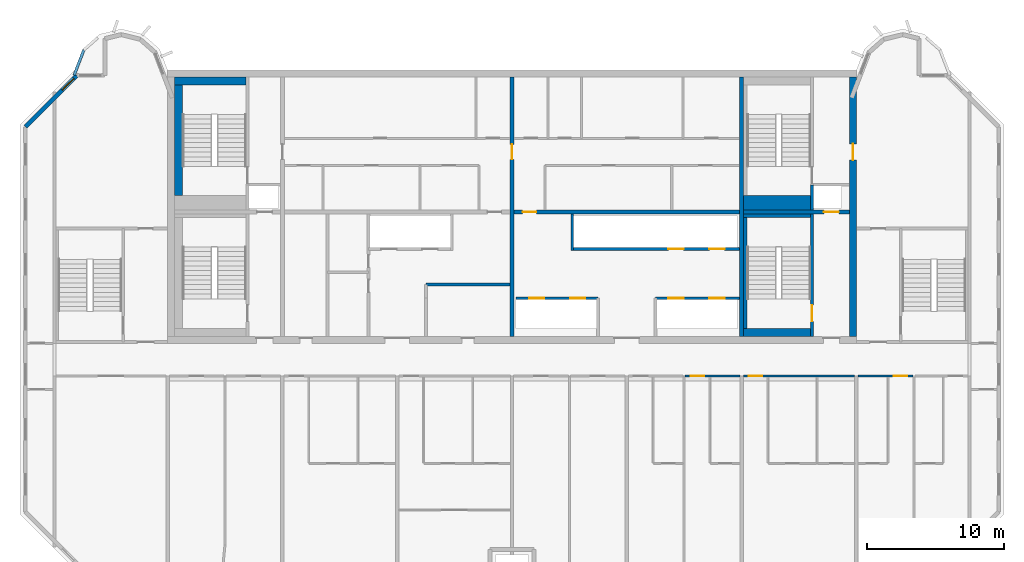
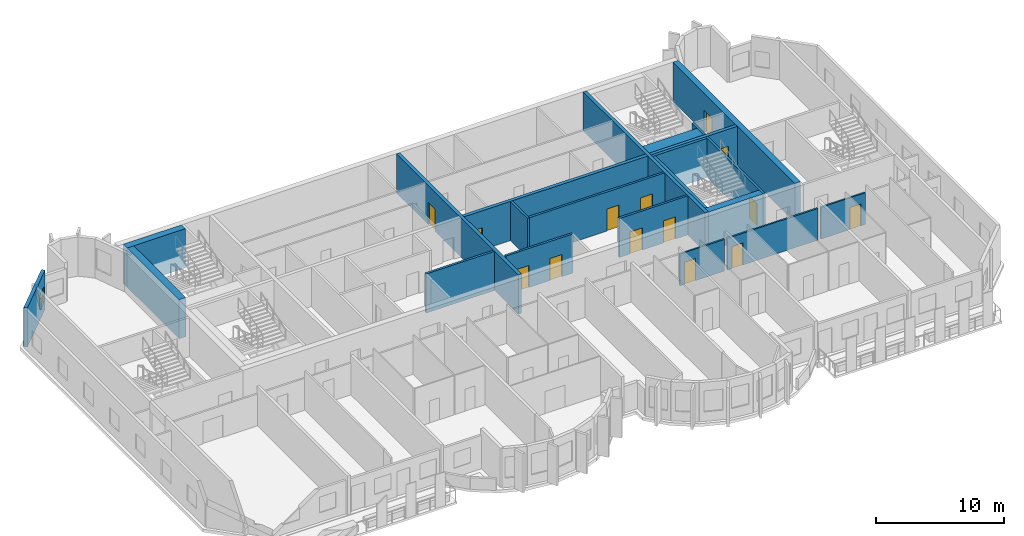
# One storey, part 6 of 12: 23 walls, 14 doors, 1 window, 15 openings.
"""IFC4 building model written with IfcOpenShell, lengths in metres."""

from ifc_helpers import new_model, si_unit, direction, frame, frame_2d, origin, place, context, subcontext, project, spatial, rectangle, extrude, source, transform, mapped, material, layer, layer_set, type_object, element, fill, save


model = new_model("IFC4")

# Units and contexts
model_context = context("Model", 3, precision=1e-05, world=origin(), true_north=direction((0.0, 1.0)))
body_context = subcontext(model_context, "Body", "Model", "MODEL_VIEW")
ifc_project = project(units=[si_unit("LENGTHUNIT", "METRE"), si_unit("AREAUNIT", "SQUARE_METRE"), si_unit("VOLUMEUNIT", "CUBIC_METRE"), si_unit("PLANEANGLEUNIT", "RADIAN"), si_unit("MASSUNIT", "GRAM", prefix="KILO")], contexts=[model_context])

# Site, building, storey
site_placement = place(None, origin())
site = spatial("IfcSite", under=ifc_project, at=site_placement, CompositionType="ELEMENT")
building_placement = place(site_placement, origin())
building = spatial("IfcBuilding", under=site, at=building_placement, Name="Vanashikhar Sky Hotel", CompositionType="ELEMENT")
storey_placement = place(building_placement, frame((0.0, 0.0, 313.699951171875)))
storey = spatial("IfcBuildingStorey", under=building, at=storey_placement, Name="L75", CompositionType="ELEMENT", Elevation=313.699951171875)

# Wall, opening, door
ifc_material_1 = material(Name="Concrete M50", Category="concrete")
ifc_layer_1 = layer(ifc_material_1, 0.5)
ifc_layer_set_1 = layer_set([ifc_layer_1], Name="RC core shell wall 500 Concrete M50")
wall_type_1 = type_object("IfcWallType", Name="RC core shell wall 500 Concrete M50", PredefinedType="SHEAR", material=ifc_layer_set_1)
shared_shape_1 = source(origin(), body_context, "Body", "SweptSolid", [
    extrude(rectangle(XDim=19.0, YDim=0.5, at=frame_2d((9.5, 0.0))), origin(), (0.0, 0.0, 1.0), 3.719970703125),
])
wall_1_placement = place(storey_placement, frame((75.35009765625, 22.5, 0.0), z_axis=(0.0, 0.0, 1.0), x_axis=(0.0, 1.0, 0.0)))
wall_1 = element("IfcWall", 1, at=wall_1_placement, inside=storey, type_object=wall_type_1, Name="KW-L75-KE", PredefinedType="SHEAR", context=body_context, shape_type="MappedRepresentation", body=[
    mapped(shared_shape_1, transform((0.0, 0.0, 0.0), scale=1.0)),
])
shared_shape_2 = source(origin(), body_context, "Body", "SweptSolid", [
    extrude(rectangle(XDim=1.199951171875, YDim=2.10009765625, at=frame_2d((0.60009765625, 1.050048828125))), frame((0.0, 0.260009765625, 0.0), z_axis=(0.0, -1.0, 0.0), x_axis=(1.0, 0.0, 0.0)), (0.0, 0.0, 1.0), 0.52001953125),
])
opening_1_placement = place(wall_1_placement, frame((12.89990234375, 0.0, 0.0)))
opening_1 = element("IfcOpeningElement", 2, at=opening_1_placement, cuts=wall_1, Name="Opening DC-4-D", PredefinedType="OPENING", context=body_context, shape_type="MappedRepresentation", body=[
    mapped(shared_shape_2, transform((0.0, 0.0, 0.0), scale=1.0)),
])
ifc_material_2 = material(Name="Steel", Category="steel")
door_type_1 = type_object("IfcDoorType", Name="Service door 1200 FD120", OperationType="NOTDEFINED", PredefinedType="DOOR", material=ifc_material_2)
shared_shape_3 = source(origin(), body_context, "Body", "SweptSolid", [
    extrude(rectangle(XDim=1.199951171875, YDim=2.10009765625, at=frame_2d((0.60009765625, 1.050048828125))), frame((0.0, 0.02490234375, 0.0), z_axis=(0.0, -1.0, 0.0), x_axis=(1.0, 0.0, 0.0)), (0.0, 0.0, 1.0), 0.050048828125),
])
door_1_placement = place(opening_1_placement, origin())
door_1 = element("IfcDoor", 3, at=door_1_placement, inside=storey, type_object=door_type_1, Name="Service door 1200 FD120", OperationType="SINGLE_SWING_RIGHT", OverallHeight=2.10009765625, OverallWidth=1.199951171875, PredefinedType="DOOR", context=body_context, shape_type="MappedRepresentation", body=[
    mapped(shared_shape_3, transform((0.0, 0.0, 0.0), scale=1.0)),
])
fill(opening_1, door_1)

ifc_layer_2 = layer(ifc_material_1, 0.300048828125)
ifc_layer_set_2 = layer_set([ifc_layer_2], Name="RC core inner wall 300 Concrete M50")
wall_type_2 = type_object("IfcWallType", Name="RC core inner wall 300 Concrete M50", PredefinedType="SHEAR", material=ifc_layer_set_2)
shared_shape_4 = source(origin(), body_context, "Body", "SweptSolid", [
    extrude(rectangle(XDim=19.0, YDim=0.300048828125, at=frame_2d((9.5, 0.0))), origin(), (0.0, 0.0, 1.0), 3.719970703125),
])
wall_2_placement = place(storey_placement, frame((50.39990234375, 22.5, 0.0), z_axis=(0.0, 0.0, 1.0), x_axis=(0.0, 1.0, 0.0)))
wall_2 = element("IfcWall", 4, at=wall_2_placement, inside=storey, type_object=wall_type_2, Name="KW-L75-KX2", PredefinedType="SHEAR", context=body_context, shape_type="MappedRepresentation", body=[
    mapped(shared_shape_4, transform((0.0, 0.0, 0.0), scale=1.0)),
])
shared_shape_5 = source(origin(), body_context, "Body", "SweptSolid", [
    extrude(rectangle(XDim=1.10009765625, YDim=2.10009765625, at=frame_2d((0.550048828125, 1.050048828125))), frame((0.0, 0.16015625, 0.0), z_axis=(0.0, -1.0, 0.0), x_axis=(1.0, 0.0, 0.0)), (0.0, 0.0, 1.0), 0.320068359375),
])
opening_2_placement = place(wall_2_placement, frame((12.949951171875, 0.0, 0.0)))
opening_2 = element("IfcOpeningElement", 5, at=opening_2_placement, cuts=wall_2, Name="Opening DC-4-C", PredefinedType="OPENING", context=body_context, shape_type="MappedRepresentation", body=[
    mapped(shared_shape_5, transform((0.0, 0.0, 0.0), scale=1.0)),
])
door_type_2 = type_object("IfcDoorType", Name="Service door 1100 FD60", OperationType="NOTDEFINED", PredefinedType="DOOR", material=ifc_material_2)
shared_shape_6 = source(origin(), body_context, "Body", "SweptSolid", [
    extrude(rectangle(XDim=1.10009765625, YDim=2.10009765625, at=frame_2d((0.550048828125, 1.050048828125))), frame((0.0, 0.02490234375, 0.0), z_axis=(0.0, -1.0, 0.0), x_axis=(1.0, 0.0, 0.0)), (0.0, 0.0, 1.0), 0.050048828125),
])
door_2_placement = place(opening_2_placement, origin())
door_2 = element("IfcDoor", 6, at=door_2_placement, inside=storey, type_object=door_type_2, Name="Service door 1100 FD60", OperationType="SINGLE_SWING_RIGHT", OverallHeight=2.10009765625, OverallWidth=1.10009765625, PredefinedType="DOOR", context=body_context, shape_type="MappedRepresentation", body=[
    mapped(shared_shape_6, transform((0.0, 0.0, 0.0), scale=1.0)),
])
fill(opening_2, door_2)

# Wall
wall_3_placement = place(storey_placement, frame((67.199951171875, 22.5, 0.0), z_axis=(0.0, 0.0, 1.0), x_axis=(0.0, 1.0, 0.0)))
element("IfcWall", 7, at=wall_3_placement, inside=storey, type_object=wall_type_2, Name="KW-L75-KX3", PredefinedType="SHEAR", context=body_context, shape_type="MappedRepresentation", body=[
    mapped(shared_shape_4, transform((0.0, 0.0, 0.0), scale=1.0)),
])

# Wall, opening, door
shared_shape_7 = source(origin(), body_context, "Body", "SweptSolid", [
    extrude(rectangle(XDim=7.75, YDim=0.300048828125, at=frame_2d((3.875, 0.0))), origin(), (0.0, 0.0, 1.0), 3.719970703125),
])
wall_4_placement = place(storey_placement, frame((67.35009765625, 31.60009765625, 0.0), z_axis=(0.0, 0.0, 1.0), x_axis=(1.0, 0.0, 0.0)))
wall_4 = element("IfcWall", 8, at=wall_4_placement, inside=storey, type_object=wall_type_2, Name="KW-L75-KY4", PredefinedType="SHEAR", context=body_context, shape_type="MappedRepresentation", body=[
    mapped(shared_shape_7, transform((0.0, 0.0, 0.0), scale=1.0)),
])
opening_3_placement = place(wall_4_placement, frame((5.875, 0.0, 0.0)))
opening_3 = element("IfcOpeningElement", 9, at=opening_3_placement, cuts=wall_4, Name="Opening LD", PredefinedType="OPENING", context=body_context, shape_type="MappedRepresentation", body=[
    mapped(shared_shape_5, transform((0.0, 0.0, 0.0), scale=1.0)),
])
ifc_material_3 = material(Name="Stainless steel", Category="steel")
door_type_3 = type_object("IfcDoorType", Name="Lift landing door 1100", OperationType="NOTDEFINED", PredefinedType="DOOR", material=ifc_material_3)
door_3_placement = place(opening_3_placement, origin())
door_3 = element("IfcDoor", 10, at=door_3_placement, inside=storey, type_object=door_type_3, Name="Lift landing door 1100", OperationType="SLIDING_TO_RIGHT", OverallHeight=2.10009765625, OverallWidth=1.10009765625, PredefinedType="DOOR", context=body_context, shape_type="MappedRepresentation", body=[
    mapped(shared_shape_6, transform((0.0, 0.0, 0.0), scale=1.0)),
])
fill(opening_3, door_3)

shared_shape_8 = source(origin(), body_context, "Body", "SweptSolid", [
    extrude(rectangle(XDim=16.5, YDim=0.300048828125, at=frame_2d((8.25, 0.0))), origin(), (0.0, 0.0, 1.0), 3.719970703125),
])
wall_5_placement = place(storey_placement, frame((50.550048828125, 31.60009765625, 0.0), z_axis=(0.0, 0.0, 1.0), x_axis=(1.0, 0.0, 0.0)))
wall_5 = element("IfcWall", 11, at=wall_5_placement, inside=storey, type_object=wall_type_2, Name="KW-L75-KY3", PredefinedType="SHEAR", context=body_context, shape_type="MappedRepresentation", body=[
    mapped(shared_shape_8, transform((0.0, 0.0, 0.0), scale=1.0)),
])
shared_shape_9 = source(origin(), body_context, "Body", "SweptSolid", [
    extrude(rectangle(XDim=1.0, YDim=2.10009765625, at=frame_2d((0.5, 1.050048828125))), frame((0.0, 0.16015625, 0.0), z_axis=(0.0, -1.0, 0.0), x_axis=(1.0, 0.0, 0.0)), (0.0, 0.0, 1.0), 0.320068359375),
])
opening_4_placement = place(wall_5_placement, frame((0.625, 0.0, 0.0)))
opening_4 = element("IfcOpeningElement", 12, at=opening_4_placement, cuts=wall_5, Name="Opening DC-4", PredefinedType="OPENING", context=body_context, shape_type="MappedRepresentation", body=[
    mapped(shared_shape_9, transform((0.0, 0.0, 0.0), scale=1.0)),
])
door_type_4 = type_object("IfcDoorType", Name="Service door 1000 FD60", OperationType="NOTDEFINED", PredefinedType="DOOR", material=ifc_material_2)
shared_shape_10 = source(origin(), body_context, "Body", "SweptSolid", [
    extrude(rectangle(XDim=1.0, YDim=2.10009765625, at=frame_2d((0.5, 1.050048828125))), frame((0.0, 0.02490234375, 0.0), z_axis=(0.0, -1.0, 0.0), x_axis=(1.0, 0.0, 0.0)), (0.0, 0.0, 1.0), 0.050048828125),
])
door_4_placement = place(opening_4_placement, origin())
door_4 = element("IfcDoor", 13, at=door_4_placement, inside=storey, type_object=door_type_4, Name="Service door 1000 FD60", OperationType="SINGLE_SWING_RIGHT", OverallHeight=2.10009765625, OverallWidth=1.0, PredefinedType="DOOR", context=body_context, shape_type="MappedRepresentation", body=[
    mapped(shared_shape_10, transform((0.0, 0.0, 0.0), scale=1.0)),
])
fill(opening_4, door_4)

# Wall, opening, window
ifc_layer_3 = layer(ifc_material_1, 0.300048828125)
ifc_layer_set_3 = layer_set([ifc_layer_3], Name="Lobe wall 300")
wall_type_3 = type_object("IfcWallType", Name="Lobe wall 300", PredefinedType="SOLIDWALL", material=ifc_layer_set_3)
shared_shape_11 = source(origin(), body_context, "Body", "SweptSolid", [
    extrude(rectangle(XDim=5.32568359375, YDim=0.300048828125, at=frame_2d((2.662841796875, 0.0))), origin(), (0.0, 0.0, 1.0), 3.719970703125),
])
wall_6_placement = place(storey_placement, frame((18.565673828125, 41.60009765625, 0.0), z_axis=(0.0, 0.0, 1.0), x_axis=(-0.707083859269, -0.707129702361, 0.0)))
wall_6 = element("IfcWall", 14, at=wall_6_placement, inside=storey, type_object=wall_type_3, Name="Corner wall", PredefinedType="SOLIDWALL", context=body_context, shape_type="MappedRepresentation", body=[
    mapped(shared_shape_11, transform((0.0, 0.0, 0.0), scale=1.0)),
])
shared_shape_12 = source(origin(), body_context, "Body", "SweptSolid", [
    extrude(rectangle(XDim=1.199951171875, YDim=1.5, at=frame_2d((0.60009765625, 0.75))), frame((0.0, 0.16015625, 0.0), z_axis=(0.0, -1.0, 0.0), x_axis=(1.0, 0.0, 0.0)), (0.0, 0.0, 1.0), 0.320068359375),
])
opening_5_placement = place(wall_6_placement, frame((0.31005859375, 0.0, 0.89990234375)))
opening_5 = element("IfcOpeningElement", 15, at=opening_5_placement, cuts=wall_6, Name="Opening WN-3", PredefinedType="OPENING", context=body_context, shape_type="MappedRepresentation", body=[
    mapped(shared_shape_12, transform((0.0, 0.0, 0.0), scale=1.0)),
])
ifc_material_4 = material(Name="Glass", Category="glass")
window_type = type_object("IfcWindowType", Name="Corridor end window 1200 x 1500", PartitioningType="SINGLE_PANEL", PredefinedType="WINDOW", material=ifc_material_4)
shared_shape_13 = source(origin(), body_context, "Body", "SweptSolid", [
    extrude(rectangle(XDim=1.199951171875, YDim=1.5, at=frame_2d((0.60009765625, 0.75))), frame((0.0, 0.030029296875, 0.0), z_axis=(0.0, -1.0, 0.0), x_axis=(1.0, 0.0, 0.0)), (0.0, 0.0, 1.0), 0.06005859375),
])
window_placement = place(opening_5_placement, origin())
window = element("IfcWindow", 16, at=window_placement, inside=storey, type_object=window_type, Name="Window WN-3", OverallHeight=1.5, OverallWidth=1.199951171875, PartitioningType="SINGLE_PANEL", PredefinedType="WINDOW", context=body_context, shape_type="MappedRepresentation", body=[
    mapped(shared_shape_13, transform((0.0, 0.0, 0.0), scale=1.0)),
])
fill(opening_5, window)

# Wall
ifc_layer_4 = layer(ifc_material_1, 0.199951171875)
ifc_layer_set_4 = layer_set([ifc_layer_4], Name="Parapet 200")
wall_type_4 = type_object("IfcWallType", Name="Parapet 200", PredefinedType="PARAPET", material=ifc_layer_set_4)
shared_shape_14 = source(origin(), body_context, "Body", "SweptSolid", [
    extrude(rectangle(XDim=1.975341796875, YDim=0.199951171875, at=frame_2d((0.98779296875, 0.0))), origin(), (0.0, 0.0, 1.0), 1.10009765625),
])
wall_7_placement = place(storey_placement, frame((18.36474609375, 41.622802734375, -0.050048828125), z_axis=(0.0, 0.0, 1.0), x_axis=(0.357819264753, 0.933790861902, 0.0)))
element("IfcWall", 17, at=wall_7_placement, inside=storey, type_object=wall_type_4, Name="Roof parapet", PredefinedType="PARAPET", context=body_context, shape_type="MappedRepresentation", body=[
    mapped(shared_shape_14, transform((0.0, 0.0, 0.0), scale=1.0)),
])

# Wall, openings, doors
ifc_material_5 = material(Name="Concrete M40", Category="concrete")
ifc_layer_5 = layer(ifc_material_5, 0.199951171875)
ifc_layer_set_5 = layer_set([ifc_layer_5], Name="Shaft wall 200")
wall_type_5 = type_object("IfcWallType", Name="Shaft wall 200", PredefinedType="SOLIDWALL", material=ifc_layer_set_5)
shared_shape_15 = source(origin(), body_context, "Body", "SweptSolid", [
    extrude(rectangle(XDim=6.0, YDim=0.199951171875, at=frame_2d((3.0, 0.0))), origin(), (0.0, 0.0, 1.0), 3.719970703125),
])
wall_8_placement = place(storey_placement, frame((56.699951171875, 25.300048828125, 0.0), z_axis=(0.0, 0.0, 1.0), x_axis=(-1.0, 0.0, 0.0)))
wall_8 = element("IfcWall", 18, at=wall_8_placement, inside=storey, type_object=wall_type_5, Name="Shaft wall 200", PredefinedType="SOLIDWALL", context=body_context, shape_type="MappedRepresentation", body=[
    mapped(shared_shape_15, transform((0.0, 0.0, 0.0), scale=1.0)),
])
shared_shape_16 = source(origin(), body_context, "Body", "SweptSolid", [
    extrude(rectangle(XDim=1.10009765625, YDim=2.10009765625, at=frame_2d((0.550048828125, 1.050048828125))), frame((0.0, 0.10986328125, 0.0), z_axis=(0.0, -1.0, 0.0), x_axis=(1.0, 0.0, 0.0)), (0.0, 0.0, 1.0), 0.219970703125),
])
opening_6_placement = place(wall_8_placement, frame((0.949951171875, 0.0, 0.0)))
opening_6 = element("IfcOpeningElement", 19, at=opening_6_placement, cuts=wall_8, Name="Opening LD", PredefinedType="OPENING", context=body_context, shape_type="MappedRepresentation", body=[
    mapped(shared_shape_16, transform((0.0, 0.0, 0.0), scale=1.0)),
])
opening_7_placement = place(wall_8_placement, frame((3.949951171875, 0.0, 0.0)))
opening_7 = element("IfcOpeningElement", 20, at=opening_7_placement, cuts=wall_8, Name="Opening LD", PredefinedType="OPENING", context=body_context, shape_type="MappedRepresentation", body=[
    mapped(shared_shape_16, transform((0.0, 0.0, 0.0), scale=1.0)),
])
door_5_placement = place(opening_6_placement, origin())
door_5 = element("IfcDoor", 21, at=door_5_placement, inside=storey, type_object=door_type_3, Name="Lift landing door 1100", OperationType="SLIDING_TO_RIGHT", OverallHeight=2.10009765625, OverallWidth=1.10009765625, PredefinedType="DOOR", context=body_context, shape_type="MappedRepresentation", body=[
    mapped(shared_shape_6, transform((0.0, 0.0, 0.0), scale=1.0)),
])
fill(opening_6, door_5)
door_6_placement = place(opening_7_placement, origin())
door_6 = element("IfcDoor", 22, at=door_6_placement, inside=storey, type_object=door_type_3, Name="Lift landing door 1100", OperationType="SLIDING_TO_LEFT", OverallHeight=2.10009765625, OverallWidth=1.10009765625, PredefinedType="DOOR", context=body_context, shape_type="MappedRepresentation", body=[
    mapped(shared_shape_6, transform((0.0, 0.0, 0.0), scale=1.0)),
])
fill(opening_7, door_6)

# Walls
shared_shape_17 = source(origin(), body_context, "Body", "SweptSolid", [
    extrude(rectangle(XDim=2.64990234375, YDim=0.199951171875, at=frame_2d((1.324951171875, 0.0))), origin(), (0.0, 0.0, 1.0), 3.719970703125),
])
wall_9_placement = place(storey_placement, frame((54.800048828125, 28.800048828125, 0.0), z_axis=(0.0, 0.0, 1.0), x_axis=(0.0, 1.0, 0.0)))
element("IfcWall", 23, at=wall_9_placement, inside=storey, type_object=wall_type_5, Name="Shaft wall 200", PredefinedType="SOLIDWALL", context=body_context, shape_type="MappedRepresentation", body=[
    mapped(shared_shape_17, transform((0.0, 0.0, 0.0), scale=1.0)),
])
ifc_material_6 = material(Name="Gypsum board partition")
ifc_layer_6 = layer(ifc_material_6, 0.14990234375)
ifc_layer_set_6 = layer_set([ifc_layer_6], Name="Service partition 150")
wall_type_6 = type_object("IfcWallType", Name="Service partition 150", PredefinedType="PARTITIONING", material=ifc_layer_set_6)
shared_shape_18 = source(origin(), body_context, "Body", "SweptSolid", [
    extrude(rectangle(XDim=6.14990234375, YDim=0.199951171875, at=frame_2d((3.074951171875, 0.0))), origin(), (0.0, 0.0, 1.0), 3.719970703125),
])
wall_10_placement = place(storey_placement, frame((44.10009765625, 26.300048828125, 0.0), z_axis=(0.0, 0.0, 1.0), x_axis=(1.0, 0.0, 0.0)))
element("IfcWall", 24, at=wall_10_placement, inside=storey, type_object=wall_type_6, Name="Service partition 150", PredefinedType="PARTITIONING", context=body_context, shape_type="MappedRepresentation", body=[
    mapped(shared_shape_18, transform((0.0, 0.0, 0.0), scale=1.0)),
])

# Wall, openings, doors
shared_shape_19 = source(origin(), body_context, "Body", "SweptSolid", [
    extrude(rectangle(XDim=6.150146484375, YDim=0.199951171875, at=frame_2d((3.0751953125, 0.0))), origin(), (0.0, 0.0, 1.0), 3.719970703125),
])
wall_11_placement = place(storey_placement, frame((67.050048828125, 25.300048828125, 0.0), z_axis=(0.0, 0.0, 1.0), x_axis=(-1.0, 0.0, 0.0)))
wall_11 = element("IfcWall", 25, at=wall_11_placement, inside=storey, type_object=wall_type_5, Name="Shaft wall 200", PredefinedType="SOLIDWALL", context=body_context, shape_type="MappedRepresentation", body=[
    mapped(shared_shape_19, transform((0.0, 0.0, 0.0), scale=1.0)),
])
opening_8_placement = place(wall_11_placement, frame((1.10009765625, 0.0, 0.0)))
opening_8 = element("IfcOpeningElement", 26, at=opening_8_placement, cuts=wall_11, Name="Opening LD", PredefinedType="OPENING", context=body_context, shape_type="MappedRepresentation", body=[
    mapped(shared_shape_16, transform((0.0, 0.0, 0.0), scale=1.0)),
])
opening_9_placement = place(wall_11_placement, frame((4.10009765625, 0.0, 0.0)))
opening_9 = element("IfcOpeningElement", 27, at=opening_9_placement, cuts=wall_11, Name="Opening LD", PredefinedType="OPENING", context=body_context, shape_type="MappedRepresentation", body=[
    mapped(shared_shape_16, transform((0.0, 0.0, 0.0), scale=1.0)),
])
door_7_placement = place(opening_8_placement, origin())
door_7 = element("IfcDoor", 28, at=door_7_placement, inside=storey, type_object=door_type_3, Name="Lift landing door 1100", OperationType="SLIDING_TO_RIGHT", OverallHeight=2.10009765625, OverallWidth=1.10009765625, PredefinedType="DOOR", context=body_context, shape_type="MappedRepresentation", body=[
    mapped(shared_shape_6, transform((0.0, 0.0, 0.0), scale=1.0)),
])
fill(opening_8, door_7)
door_8_placement = place(opening_9_placement, origin())
door_8 = element("IfcDoor", 29, at=door_8_placement, inside=storey, type_object=door_type_3, Name="Lift landing door 1100", OperationType="SLIDING_TO_LEFT", OverallHeight=2.10009765625, OverallWidth=1.10009765625, PredefinedType="DOOR", context=body_context, shape_type="MappedRepresentation", body=[
    mapped(shared_shape_6, transform((0.0, 0.0, 0.0), scale=1.0)),
])
fill(opening_9, door_8)

shared_shape_20 = source(origin(), body_context, "Body", "SweptSolid", [
    extrude(rectangle(XDim=12.150146484375, YDim=0.199951171875, at=frame_2d((6.0751953125, 0.0))), origin(), (0.0, 0.0, 1.0), 3.719970703125),
])
wall_12_placement = place(storey_placement, frame((67.050048828125, 28.89990234375, 0.0), z_axis=(0.0, 0.0, 1.0), x_axis=(-1.0, 0.0, 0.0)))
wall_12 = element("IfcWall", 30, at=wall_12_placement, inside=storey, type_object=wall_type_5, Name="Shaft wall 200", PredefinedType="SOLIDWALL", context=body_context, shape_type="MappedRepresentation", body=[
    mapped(shared_shape_20, transform((0.0, 0.0, 0.0), scale=1.0)),
])
opening_10_placement = place(wall_12_placement, frame((1.10009765625, 0.0, 0.0)))
opening_10 = element("IfcOpeningElement", 31, at=opening_10_placement, cuts=wall_12, Name="Opening LD", PredefinedType="OPENING", context=body_context, shape_type="MappedRepresentation", body=[
    mapped(shared_shape_16, transform((0.0, 0.0, 0.0), scale=1.0)),
])
opening_11_placement = place(wall_12_placement, frame((4.10009765625, 0.0, 0.0)))
opening_11 = element("IfcOpeningElement", 32, at=opening_11_placement, cuts=wall_12, Name="Opening LD", PredefinedType="OPENING", context=body_context, shape_type="MappedRepresentation", body=[
    mapped(shared_shape_16, transform((0.0, 0.0, 0.0), scale=1.0)),
])
door_9_placement = place(opening_10_placement, origin())
door_9 = element("IfcDoor", 33, at=door_9_placement, inside=storey, type_object=door_type_3, Name="Lift landing door 1100", OperationType="SLIDING_TO_RIGHT", OverallHeight=2.10009765625, OverallWidth=1.10009765625, PredefinedType="DOOR", context=body_context, shape_type="MappedRepresentation", body=[
    mapped(shared_shape_6, transform((0.0, 0.0, 0.0), scale=1.0)),
])
fill(opening_10, door_9)
door_10_placement = place(opening_11_placement, origin())
door_10 = element("IfcDoor", 34, at=door_10_placement, inside=storey, type_object=door_type_3, Name="Lift landing door 1100", OperationType="SLIDING_TO_LEFT", OverallHeight=2.10009765625, OverallWidth=1.10009765625, PredefinedType="DOOR", context=body_context, shape_type="MappedRepresentation", body=[
    mapped(shared_shape_6, transform((0.0, 0.0, 0.0), scale=1.0)),
])
fill(opening_11, door_10)

# Wall, opening, door
ifc_layer_7 = layer(ifc_material_1, 0.199951171875)
ifc_layer_set_7 = layer_set([ifc_layer_7], Name="Stair wall 200")
wall_type_7 = type_object("IfcWallType", Name="Stair wall 200", PredefinedType="SOLIDWALL", material=ifc_layer_set_7)
shared_shape_21 = source(origin(), body_context, "Body", "SweptSolid", [
    extrude(rectangle(XDim=8.949951171875, YDim=0.199951171875, at=frame_2d((4.47509765625, 0.0))), origin(), (0.0, 0.0, 1.0), 3.719970703125),
])
wall_13_placement = place(storey_placement, frame((72.35009765625, 22.5, 0.0), z_axis=(0.0, 0.0, 1.0), x_axis=(0.0, 1.0, 0.0)))
wall_13 = element("IfcWall", 35, at=wall_13_placement, inside=storey, type_object=wall_type_7, Name="Stair wall 200", PredefinedType="SOLIDWALL", context=body_context, shape_type="MappedRepresentation", body=[
    mapped(shared_shape_21, transform((0.0, 0.0, 0.0), scale=1.0)),
])
shared_shape_22 = source(origin(), body_context, "Body", "SweptSolid", [
    extrude(rectangle(XDim=1.199951171875, YDim=2.10009765625, at=frame_2d((0.60009765625, 1.050048828125))), frame((0.0, 0.10986328125, 0.0), z_axis=(0.0, -1.0, 0.0), x_axis=(1.0, 0.0, 0.0)), (0.0, 0.0, 1.0), 0.219970703125),
])
opening_12_placement = place(wall_13_placement, frame((1.10009765625, 0.0, 0.0)))
opening_12 = element("IfcOpeningElement", 36, at=opening_12_placement, cuts=wall_13, Name="Opening DC-1", PredefinedType="OPENING", context=body_context, shape_type="MappedRepresentation", body=[
    mapped(shared_shape_22, transform((0.0, 0.0, 0.0), scale=1.0)),
])
door_type_5 = type_object("IfcDoorType", Name="Stair door 1200 FD120", OperationType="NOTDEFINED", PredefinedType="DOOR", material=ifc_material_2)
door_11_placement = place(opening_12_placement, origin())
door_11 = element("IfcDoor", 37, at=door_11_placement, inside=storey, type_object=door_type_5, Name="Stair door 1200 FD120", OperationType="SINGLE_SWING_RIGHT", OverallHeight=2.10009765625, OverallWidth=1.199951171875, PredefinedType="DOOR", context=body_context, shape_type="MappedRepresentation", body=[
    mapped(shared_shape_3, transform((0.0, 0.0, 0.0), scale=1.0)),
])
fill(opening_12, door_11)

# Walls
shared_shape_23 = source(origin(), body_context, "Body", "SweptSolid", [
    extrude(rectangle(XDim=1.85009765625, YDim=0.199951171875, at=frame_2d((0.925048828125, 0.0))), origin(), (0.0, 0.0, 1.0), 3.719970703125),
])
wall_14_placement = place(storey_placement, frame((72.35009765625, 31.75, 0.0), z_axis=(0.0, 0.0, 1.0), x_axis=(0.0, 1.0, 0.0)))
element("IfcWall", 38, at=wall_14_placement, inside=storey, type_object=wall_type_5, Name="Shaft wall 200", PredefinedType="SOLIDWALL", context=body_context, shape_type="MappedRepresentation", body=[
    mapped(shared_shape_23, transform((0.0, 0.0, 0.0), scale=1.0)),
])
ifc_layer_8 = layer(ifc_material_1, 0.60009765625)
ifc_layer_set_8 = layer_set([ifc_layer_8], Name="Stair infill wall 600")
wall_type_8 = type_object("IfcWallType", Name="Stair infill wall 600", PredefinedType="SOLIDWALL", material=ifc_layer_set_8)
shared_shape_24 = source(origin(), body_context, "Body", "SweptSolid", [
    extrude(rectangle(XDim=5.25, YDim=0.60009765625, at=frame_2d((2.625, 0.0))), origin(), (0.0, 0.0, 1.0), 3.719970703125),
])
wall_15_placement = place(storey_placement, frame((25.699951171875, 41.199951171875, 0.0), z_axis=(0.0, 0.0, 1.0), x_axis=(1.0, 0.0, 0.0)))
element("IfcWall", 39, at=wall_15_placement, inside=storey, type_object=wall_type_8, Name="Stair infill wall 600", PredefinedType="SOLIDWALL", context=body_context, shape_type="MappedRepresentation", body=[
    mapped(shared_shape_24, transform((0.0, 0.0, 0.0), scale=1.0)),
])
shared_shape_25 = source(origin(), body_context, "Body", "SweptSolid", [
    extrude(rectangle(XDim=8.099853515625, YDim=0.60009765625, at=frame_2d((4.0498046875, 0.0))), origin(), (0.0, 0.0, 1.0), 3.719970703125),
])
wall_16_placement = place(storey_placement, frame((26.0, 32.800048828125, 0.0), z_axis=(0.0, 0.0, 1.0), x_axis=(0.0, 1.0, 0.0)))
element("IfcWall", 40, at=wall_16_placement, inside=storey, type_object=wall_type_8, Name="Stair infill wall 600", PredefinedType="SOLIDWALL", context=body_context, shape_type="MappedRepresentation", body=[
    mapped(shared_shape_25, transform((0.0, 0.0, 0.0), scale=1.0)),
])
shared_shape_26 = source(origin(), body_context, "Body", "SweptSolid", [
    extrude(rectangle(XDim=4.89990234375, YDim=0.60009765625, at=frame_2d((2.449951171875, 0.0))), origin(), (0.0, 0.0, 1.0), 3.719970703125),
])
wall_17_placement = place(storey_placement, frame((67.35009765625, 22.800048828125, 0.0), z_axis=(0.0, 0.0, 1.0), x_axis=(1.0, 0.0, 0.0)))
element("IfcWall", 41, at=wall_17_placement, inside=storey, type_object=wall_type_8, Name="Stair infill wall 600", PredefinedType="SOLIDWALL", context=body_context, shape_type="MappedRepresentation", body=[
    mapped(shared_shape_26, transform((0.0, 0.0, 0.0), scale=1.0)),
])
ifc_layer_9 = layer(ifc_material_1, 0.25)
ifc_layer_set_9 = layer_set([ifc_layer_9], Name="Stair infill wall 250")
wall_type_9 = type_object("IfcWallType", Name="Stair infill wall 250", PredefinedType="SOLIDWALL", material=ifc_layer_set_9)
shared_shape_27 = source(origin(), body_context, "Body", "SweptSolid", [
    extrude(rectangle(XDim=4.89990234375, YDim=0.25, at=frame_2d((2.449951171875, 0.0))), origin(), (0.0, 0.0, 1.0), 3.719970703125),
])
wall_18_placement = place(storey_placement, frame((67.35009765625, 31.324951171875, 0.0), z_axis=(0.0, 0.0, 1.0), x_axis=(1.0, 0.0, 0.0)))
element("IfcWall", 42, at=wall_18_placement, inside=storey, type_object=wall_type_9, Name="Stair infill wall 250", PredefinedType="SOLIDWALL", context=body_context, shape_type="MappedRepresentation", body=[
    mapped(shared_shape_27, transform((0.0, 0.0, 0.0), scale=1.0)),
])
shared_shape_28 = source(origin(), body_context, "Body", "SweptSolid", [
    extrude(rectangle(XDim=8.099853515625, YDim=0.25, at=frame_2d((4.0498046875, 0.0))), origin(), (0.0, 0.0, 1.0), 3.719970703125),
])
wall_19_placement = place(storey_placement, frame((67.47509765625, 23.10009765625, 0.0), z_axis=(0.0, 0.0, 1.0), x_axis=(0.0, 1.0, 0.0)))
element("IfcWall", 43, at=wall_19_placement, inside=storey, type_object=wall_type_9, Name="Stair infill wall 250", PredefinedType="SOLIDWALL", context=body_context, shape_type="MappedRepresentation", body=[
    mapped(shared_shape_28, transform((0.0, 0.0, 0.0), scale=1.0)),
])
ifc_layer_10 = layer(ifc_material_1, 1.050048828125)
ifc_layer_set_10 = layer_set([ifc_layer_10], Name="Stair infill wall 1050")
wall_type_10 = type_object("IfcWallType", Name="Stair infill wall 1050", PredefinedType="SOLIDWALL", material=ifc_layer_set_10)
shared_shape_29 = source(origin(), body_context, "Body", "SweptSolid", [
    extrude(rectangle(XDim=4.89990234375, YDim=1.050048828125, at=frame_2d((2.449951171875, 0.0))), origin(), (0.0, 0.0, 1.0), 3.719970703125),
])
wall_20_placement = place(storey_placement, frame((67.35009765625, 32.27490234375, 0.0), z_axis=(0.0, 0.0, 1.0), x_axis=(1.0, 0.0, 0.0)))
element("IfcWall", 44, at=wall_20_placement, inside=storey, type_object=wall_type_10, Name="Stair infill wall 1050", PredefinedType="SOLIDWALL", context=body_context, shape_type="MappedRepresentation", body=[
    mapped(shared_shape_29, transform((0.0, 0.0, 0.0), scale=1.0)),
])

# Wall, opening, door
ifc_material_7 = material(Name="Gypsum plasterboard partition")
ifc_layer_11 = layer(ifc_material_7, 0.14990234375)
ifc_layer_set_11 = layer_set([ifc_layer_11], Name="Corridor and demising partition 150")
wall_type_11 = type_object("IfcWallType", Name="Corridor and demising partition 150", PredefinedType="PARTITIONING", material=ifc_layer_set_11)
shared_shape_30 = source(origin(), body_context, "Body", "SweptSolid", [
    extrude(rectangle(XDim=8.150146484375, YDim=0.14990234375, at=frame_2d((4.0751953125, 0.0))), origin(), (0.0, 0.0, 1.0), 3.02001953125),
])
wall_21_placement = place(storey_placement, frame((67.324951171875, 19.60009765625, 0.0), z_axis=(0.0, 0.0, 1.0), x_axis=(1.0, 0.0, 0.0)))
wall_21 = element("IfcWall", 45, at=wall_21_placement, inside=storey, type_object=wall_type_11, Name="W-L75-PW030", PredefinedType="PARTITIONING", context=body_context, shape_type="MappedRepresentation", body=[
    mapped(shared_shape_30, transform((0.0, 0.0, 0.0), scale=1.0)),
])
shared_shape_31 = source(origin(), body_context, "Body", "SweptSolid", [
    extrude(rectangle(XDim=1.0, YDim=2.10009765625, at=frame_2d((0.5, 1.050048828125))), frame((0.0, 0.0849609375, 0.0), z_axis=(0.0, -1.0, 0.0), x_axis=(1.0, 0.0, 0.0)), (0.0, 0.0, 1.0), 0.169921875),
])
opening_13_placement = place(wall_21_placement, frame((0.39990234375, 0.0, 0.0)))
opening_13 = element("IfcOpeningElement", 46, at=opening_13_placement, cuts=wall_21, Name="Opening D-01", PredefinedType="OPENING", context=body_context, shape_type="MappedRepresentation", body=[
    mapped(shared_shape_31, transform((0.0, 0.0, 0.0), scale=1.0)),
])
ifc_material_8 = material(Name="Timber fire door", Category="wood")
door_type_6 = type_object("IfcDoorType", Name="Guest entry door 1000 FD30S", OperationType="NOTDEFINED", PredefinedType="DOOR", material=ifc_material_8)
door_12_placement = place(opening_13_placement, origin())
door_12 = element("IfcDoor", 47, at=door_12_placement, inside=storey, type_object=door_type_6, Name="D-L75-019", OperationType="SINGLE_SWING_LEFT", OverallHeight=2.10009765625, OverallWidth=1.0, PredefinedType="DOOR", context=body_context, shape_type="MappedRepresentation", body=[
    mapped(shared_shape_10, transform((0.0, 0.0, 0.0), scale=1.0)),
])
fill(opening_13, door_12)

shared_shape_32 = source(origin(), body_context, "Body", "SweptSolid", [
    extrude(rectangle(XDim=4.0, YDim=0.14990234375, at=frame_2d((2.0, 0.0))), origin(), (0.0, 0.0, 1.0), 3.02001953125),
])
wall_22_placement = place(storey_placement, frame((63.074951171875, 19.60009765625, 0.0), z_axis=(0.0, 0.0, 1.0), x_axis=(1.0, 0.0, 0.0)))
wall_22 = element("IfcWall", 48, at=wall_22_placement, inside=storey, type_object=wall_type_11, Name="W-L75-PW024", PredefinedType="PARTITIONING", context=body_context, shape_type="MappedRepresentation", body=[
    mapped(shared_shape_32, transform((0.0, 0.0, 0.0), scale=1.0)),
])
opening_14_placement = place(wall_22_placement, frame((0.39990234375, 0.0, 0.0)))
opening_14 = element("IfcOpeningElement", 49, at=opening_14_placement, cuts=wall_22, Name="Opening D-01", PredefinedType="OPENING", context=body_context, shape_type="MappedRepresentation", body=[
    mapped(shared_shape_31, transform((0.0, 0.0, 0.0), scale=1.0)),
])
door_13_placement = place(opening_14_placement, origin())
door_13 = element("IfcDoor", 50, at=door_13_placement, inside=storey, type_object=door_type_6, Name="D-L75-016", OperationType="SINGLE_SWING_LEFT", OverallHeight=2.10009765625, OverallWidth=1.0, PredefinedType="DOOR", context=body_context, shape_type="MappedRepresentation", body=[
    mapped(shared_shape_10, transform((0.0, 0.0, 0.0), scale=1.0)),
])
fill(opening_14, door_13)

wall_23_placement = place(storey_placement, frame((75.72509765625, 19.60009765625, 0.0), z_axis=(0.0, 0.0, 1.0), x_axis=(1.0, 0.0, 0.0)))
wall_23 = element("IfcWall", 51, at=wall_23_placement, inside=storey, type_object=wall_type_11, Name="W-L75-PW033", PredefinedType="PARTITIONING", context=body_context, shape_type="MappedRepresentation", body=[
    mapped(shared_shape_32, transform((0.0, 0.0, 0.0), scale=1.0)),
])
opening_15_placement = place(wall_23_placement, frame((2.60009765625, 0.0, 0.0)))
opening_15 = element("IfcOpeningElement", 52, at=opening_15_placement, cuts=wall_23, Name="Opening D-01", PredefinedType="OPENING", context=body_context, shape_type="MappedRepresentation", body=[
    mapped(shared_shape_31, transform((0.0, 0.0, 0.0), scale=1.0)),
])
door_14_placement = place(opening_15_placement, origin())
door_14 = element("IfcDoor", 53, at=door_14_placement, inside=storey, type_object=door_type_6, Name="D-L75-021", OperationType="SINGLE_SWING_RIGHT", OverallHeight=2.10009765625, OverallWidth=1.0, PredefinedType="DOOR", context=body_context, shape_type="MappedRepresentation", body=[
    mapped(shared_shape_10, transform((0.0, 0.0, 0.0), scale=1.0)),
])
fill(opening_15, door_14)

save(model, "model.ifc")
